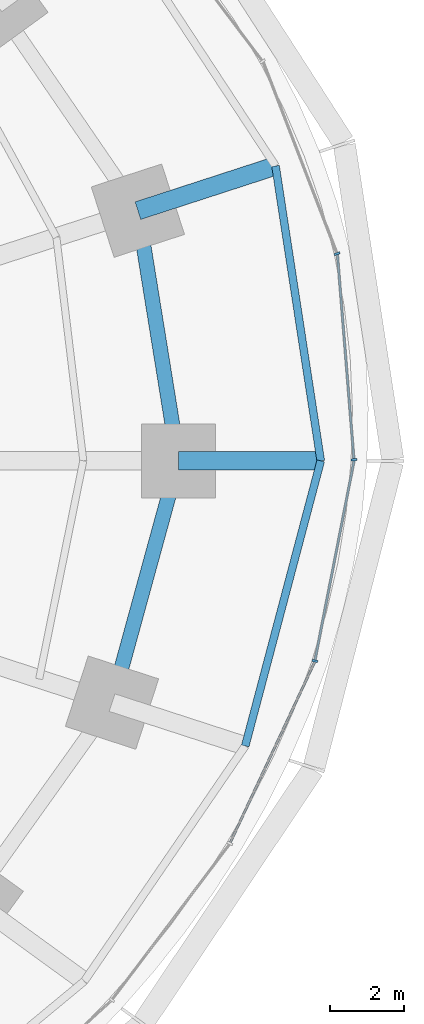
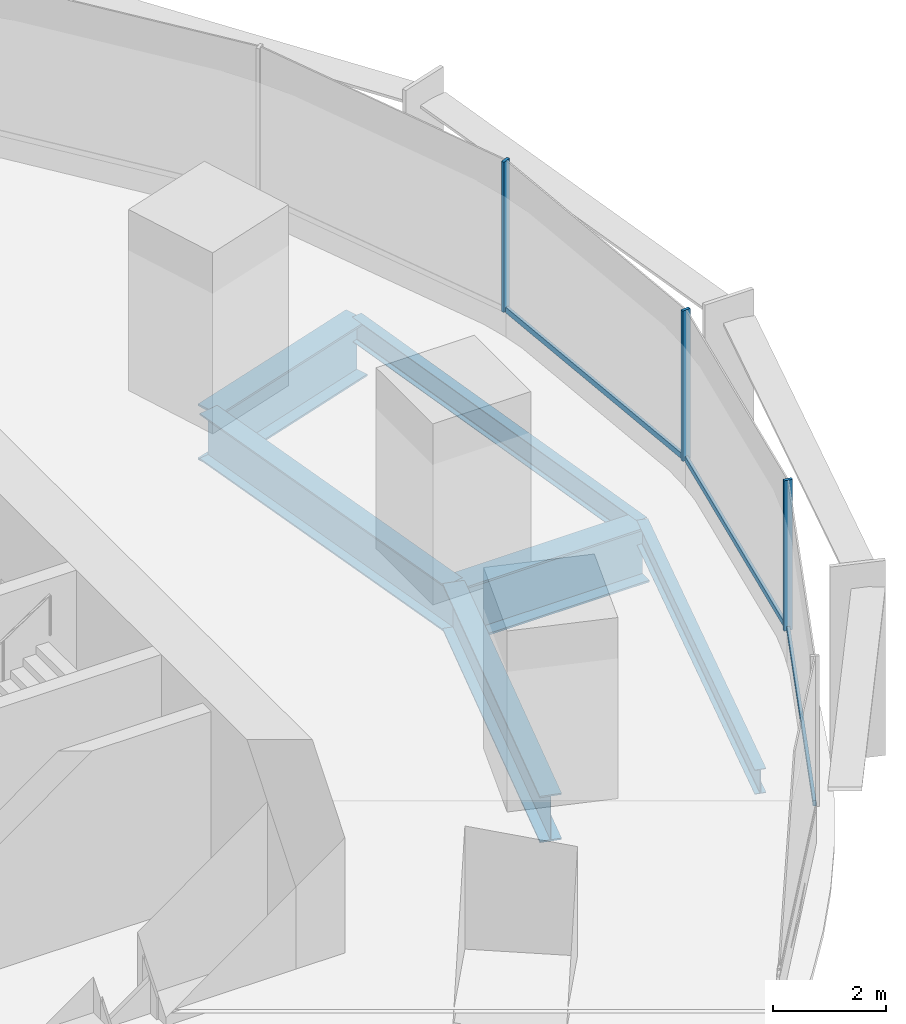
# One storey, part 6 of 15: 6 beams, 6 members, 2 elements without a shape of their own.
"""IFC4 building model written with IfcOpenShell, lengths in metres."""

from ifc_helpers import new_model, si_unit, direction, frame, origin, origin_2d, place, context, subcontext, project, spatial, rectangle, i_section, extrude, material, material_profile, profile_set, type_object, element, aggregate, save


model = new_model("IFC4")

# Units and contexts
model_context = context("Model", 3, precision=1e-05, world=origin(), true_north=direction((0.0, 1.0)))
body_context = subcontext(model_context, "Body", "Model", "MODEL_VIEW")
ifc_project = project(units=[si_unit("LENGTHUNIT", "METRE"), si_unit("AREAUNIT", "SQUARE_METRE"), si_unit("VOLUMEUNIT", "CUBIC_METRE"), si_unit("PLANEANGLEUNIT", "RADIAN"), si_unit("MASSUNIT", "GRAM", prefix="KILO")], contexts=[model_context])

# Site, building, storey
site_placement = place(None, origin())
site = spatial("IfcSite", under=ifc_project, at=site_placement, CompositionType="ELEMENT")
building_placement = place(site_placement, origin())
building = spatial("IfcBuilding", under=site, at=building_placement, Name="Marramba Exchange Tower", CompositionType="ELEMENT")
storey_placement = place(building_placement, frame((0.0, 0.0, 57.39990234375)))
storey = spatial("IfcBuildingStorey", under=building, at=storey_placement, Name="L13", CompositionType="ELEMENT", Elevation=57.39990234375)

# Beams
ifc_material_1 = material(Name="Steel AS/NZS 3679.2 grade 300", Category="steel")
ifc_material_profile_1 = material_profile(ifc_material_1, i_section(OverallWidth=0.5, OverallDepth=1.199951171875, WebThickness=0.01611328125, FlangeThickness=0.0400390625, at=origin_2d()), Name="1200WB455")
ifc_profile_set_1 = profile_set([ifc_material_profile_1], Name="Steel AS/NZS 3679.2 grade 300")
beam_type_1 = type_object("IfcBeamType", Name="Cantilever girder 1200WB455", PredefinedType="BEAM", material=ifc_profile_set_1)
beam_1_placement = place(storey_placement, frame((21.89990234375, 0.0, -0.760009765625), z_axis=(1.0, 0.0, 0.0), x_axis=(0.0, 1.0, 0.0)))
element("IfcBeam", 1, at=beam_1_placement, inside=storey, type_object=beam_type_1, Name="Cantilever girder L13 TC01", PredefinedType="BEAM", context=body_context, shape_type="SweptSolid", body=[
    extrude(i_section(OverallWidth=0.5, OverallDepth=1.199951171875, WebThickness=0.01611328125, FlangeThickness=0.0400390625, at=origin_2d()), origin(), (0.0, 0.0, 1.0), 3.85009765625),
])
beam_2_placement = place(storey_placement, frame((20.808349609375, 6.760986328125, -0.760009765625), z_axis=(0.951058833549, 0.309009862508, 0.0), x_axis=(-0.309009862508, 0.951058833549, 0.0)))
element("IfcBeam", 2, at=beam_2_placement, inside=storey, type_object=beam_type_1, Name="Cantilever girder L13 TC02", PredefinedType="BEAM", context=body_context, shape_type="SweptSolid", body=[
    extrude(i_section(OverallWidth=0.5, OverallDepth=1.199951171875, WebThickness=0.01611328125, FlangeThickness=0.0400390625, at=origin_2d()), origin(), (0.0, 0.0, 1.0), 3.91162109375),
])
ifc_material_profile_2 = material_profile(ifc_material_1, i_section(OverallWidth=0.39990234375, OverallDepth=1.0, WebThickness=0.01611328125, FlangeThickness=0.031982421875, at=origin_2d()), Name="1000WB322")
ifc_profile_set_2 = profile_set([ifc_material_profile_2], Name="Steel AS/NZS 3679.2 grade 300")
beam_type_2 = type_object("IfcBeamType", Name="Ring beam 1000WB322", PredefinedType="SPANDREL", material=ifc_profile_set_2)
beam_3_placement = place(storey_placement, frame((21.89990234375, 0.0, -0.659912109375), z_axis=(-0.159384865399, 0.987216523708, 0.0), x_axis=(-0.987216523708, -0.159384865399, 0.0)))
element("IfcBeam", 3, at=beam_3_placement, inside=storey, type_object=beam_type_2, Name="Ring beam L13 TC01-TC02", PredefinedType="SPANDREL", context=body_context, shape_type="SweptSolid", body=[
    extrude(i_section(OverallWidth=0.39990234375, OverallDepth=1.0, WebThickness=0.01611328125, FlangeThickness=0.031982421875, at=origin_2d()), origin(), (0.0, 0.0, 1.0), 6.8486328125),
])
beam_4_placement = place(storey_placement, frame((20.109375, -6.533935546875, -0.659912109375), z_axis=(0.264291166956, 0.964442937176, 0.0), x_axis=(-0.964442937176, 0.264291166956, 0.0)))
element("IfcBeam", 4, at=beam_4_placement, inside=storey, type_object=beam_type_2, Name="Ring beam L13 TC20-TC01", PredefinedType="SPANDREL", context=body_context, shape_type="SweptSolid", body=[
    extrude(i_section(OverallWidth=0.39990234375, OverallDepth=1.0, WebThickness=0.01611328125, FlangeThickness=0.031982421875, at=origin_2d()), origin(), (0.0, 0.0, 1.0), 6.77490234375),
])
ifc_material_2 = material(Name="Steel AS/NZS 3679.1 grade 300", Category="steel")
ifc_material_profile_3 = material_profile(ifc_material_2, i_section(OverallWidth=0.208984375, OverallDepth=0.528076171875, WebThickness=0.009521484375, FlangeThickness=0.01318359375, FilletRadius=0.013916015625, at=origin_2d()), Name="530UB82.0")
ifc_profile_set_3 = profile_set([ifc_material_profile_3], Name="Steel AS/NZS 3679.1 grade 300")
beam_type_3 = type_object("IfcBeamType", Name="Slab edge beam 530UB82.0", PredefinedType="SPANDREL", material=ifc_profile_set_3)
beam_5_placement = place(storey_placement, frame((25.75, 0.0, -0.423828125), z_axis=(-0.151490591645, 0.988458699513, 0.0), x_axis=(-0.988458699513, -0.151490591645, 0.0)))
element("IfcBeam", 5, at=beam_5_placement, inside=storey, type_object=beam_type_3, Name="Slab edge beam L13 TC01-TC02", PredefinedType="SPANDREL", context=body_context, shape_type="SweptSolid", body=[
    extrude(i_section(OverallWidth=0.208984375, OverallDepth=0.528076171875, WebThickness=0.009521484375, FlangeThickness=0.01318359375, FilletRadius=0.013916015625, at=origin_2d()), origin(), (0.0, 0.0, 1.0), 8.062744140625),
])
beam_6_placement = place(storey_placement, frame((23.709716796875, -7.703857421875, -0.423828125), z_axis=(0.25601296674, 0.966673347549, 0.0), x_axis=(-0.966673347549, 0.25601296674, 0.0)))
element("IfcBeam", 6, at=beam_6_placement, inside=storey, type_object=beam_type_3, Name="Slab edge beam L13 TC20-TC01", PredefinedType="SPANDREL", context=body_context, shape_type="SweptSolid", body=[
    extrude(i_section(OverallWidth=0.208984375, OverallDepth=0.528076171875, WebThickness=0.009521484375, FlangeThickness=0.01318359375, FilletRadius=0.013916015625, at=origin_2d()), origin(), (0.0, 0.0, 1.0), 7.969482421875),
])

# Curtain wall, members
ifc_material_3 = material(Name="Aluminium framing, bronze anodised", Category="aluminium")
curtain_wall_type = type_object("IfcCurtainWallType", Name="Trading floor ribbon curtain wall", PredefinedType="USERDEFINED", material=ifc_material_3)
curtain_wall_1_placement = place(storey_placement, origin())
curtain_wall_1 = element("IfcCurtainWall", 7, at=curtain_wall_1_placement, inside=storey, type_object=curtain_wall_type, Name="Curtain wall CW3 L13 F01-F05", ObjectType="RIBBON CURTAIN WALL", PredefinedType="USERDEFINED")
ifc_material_4 = material(Name="Aluminium mullion, bronze anodised", Category="aluminium")
ifc_material_profile_4 = material_profile(ifc_material_4, rectangle(XDim=0.159912109375, YDim=0.06005859375, at=origin_2d()), Name="CW3 mullion 60x160")
ifc_profile_set_4 = profile_set([ifc_material_profile_4], Name="Aluminium mullion, bronze anodised")
member_type_1 = type_object("IfcMemberType", Name="Trading floor ribbon curtain wall mullion", PredefinedType="MULLION", material=ifc_profile_set_4)
member_1_placement = place(storey_placement, frame((26.647705078125, 0.02978515625, 0.800048828125), z_axis=(0.0, 0.0, 1.0), x_axis=(-0.996772736434, -0.080275225953, 0.0)))
member_1 = element("IfcMember", 8, at=member_1_placement, type_object=member_type_1, Name="CW3 mullion 1", PredefinedType="MULLION", context=body_context, shape_type="SweptSolid", body=[
    extrude(rectangle(XDim=0.159912109375, YDim=0.06005859375, at=origin_2d()), origin(), (0.0, 0.0, 1.0), 3.239990234375),
])
member_2_placement = place(storey_placement, frame((26.190673828125, 5.597412109375, 0.800048828125), z_axis=(0.0, 0.0, 1.0), x_axis=(-0.933135256626, -0.359525510698, 0.0)))
member_2 = element("IfcMember", 9, at=member_2_placement, type_object=member_type_1, Name="CW3 mullion 1", PredefinedType="MULLION", context=body_context, shape_type="SweptSolid", body=[
    extrude(rectangle(XDim=0.159912109375, YDim=0.06005859375, at=origin_2d()), origin(), (0.0, 0.0, 1.0), 3.239990234375),
])

# Curtain wall, member
curtain_wall_2_placement = place(storey_placement, origin())
curtain_wall_2 = element("IfcCurtainWall", 10, at=curtain_wall_2_placement, inside=storey, type_object=curtain_wall_type, Name="Curtain wall CW3 L13 F26-F30", ObjectType="RIBBON CURTAIN WALL", PredefinedType="USERDEFINED")
member_3_placement = place(storey_placement, frame((25.59033203125, -5.40869140625, 0.800048828125), z_axis=(0.0, 0.0, 1.0), x_axis=(-0.981346261612, 0.1922485756, 0.0)))
member_3 = element("IfcMember", 11, at=member_3_placement, type_object=member_type_1, Name="CW3 mullion 1", PredefinedType="MULLION", context=body_context, shape_type="SweptSolid", body=[
    extrude(rectangle(XDim=0.159912109375, YDim=0.06005859375, at=origin_2d()), origin(), (0.0, 0.0, 1.0), 3.239990234375),
])

# Member
ifc_material_5 = material(Name="Aluminium transom, bronze anodised", Category="aluminium")
ifc_material_profile_5 = material_profile(ifc_material_5, rectangle(XDim=0.06005859375, YDim=0.1201171875, at=origin_2d()), Name="CW3 transom 60x120")
ifc_profile_set_5 = profile_set([ifc_material_profile_5], Name="Aluminium transom, bronze anodised")
member_type_2 = type_object("IfcMemberType", Name="Trading floor ribbon curtain wall transom", PredefinedType="USERDEFINED", material=ifc_profile_set_5)
member_4_placement = place(storey_placement, frame((26.645263671875, 0.059814453125, 0.830078125), z_axis=(-0.080299960686, 0.99677074411, 0.0), x_axis=(-0.99677074411, -0.080299960686, 0.0)))
member_4 = element("IfcMember", 12, at=member_4_placement, type_object=member_type_2, Name="CW3 sill transom", ObjectType="TRANSOM", PredefinedType="USERDEFINED", context=body_context, shape_type="SweptSolid", body=[
    extrude(rectangle(XDim=0.06005859375, YDim=0.1201171875, at=origin_2d()), origin(), (0.0, 0.0, 1.0), 5.52734375),
])

aggregate(curtain_wall_1, [member_1, member_4, member_2])

member_5_placement = place(storey_placement, frame((23.306640625, -10.31103515625, 0.830078125), z_axis=(0.423511514213, 0.905890720412, 0.0), x_axis=(-0.905890720412, 0.423511514213, 0.0)))
member_5 = element("IfcMember", 13, at=member_5_placement, type_object=member_type_2, Name="CW3 sill transom", ObjectType="TRANSOM", PredefinedType="USERDEFINED", context=body_context, shape_type="SweptSolid", body=[
    extrude(rectangle(XDim=0.06005859375, YDim=0.1201171875, at=origin_2d()), origin(), (0.0, 0.0, 1.0), 5.37890625),
])

member_6_placement = place(storey_placement, frame((25.59619140625, -5.37939453125, 0.830078125), z_axis=(0.192226081646, 0.981350667975, 0.0), x_axis=(-0.981350667975, 0.192226081646, 0.0)))
member_6 = element("IfcMember", 14, at=member_6_placement, type_object=member_type_2, Name="CW3 sill transom", ObjectType="TRANSOM", PredefinedType="USERDEFINED", context=body_context, shape_type="SweptSolid", body=[
    extrude(rectangle(XDim=0.06005859375, YDim=0.1201171875, at=origin_2d()), origin(), (0.0, 0.0, 1.0), 5.481689453125),
])

aggregate(curtain_wall_2, [member_5, member_3, member_6])

save(model, "model.ifc")
